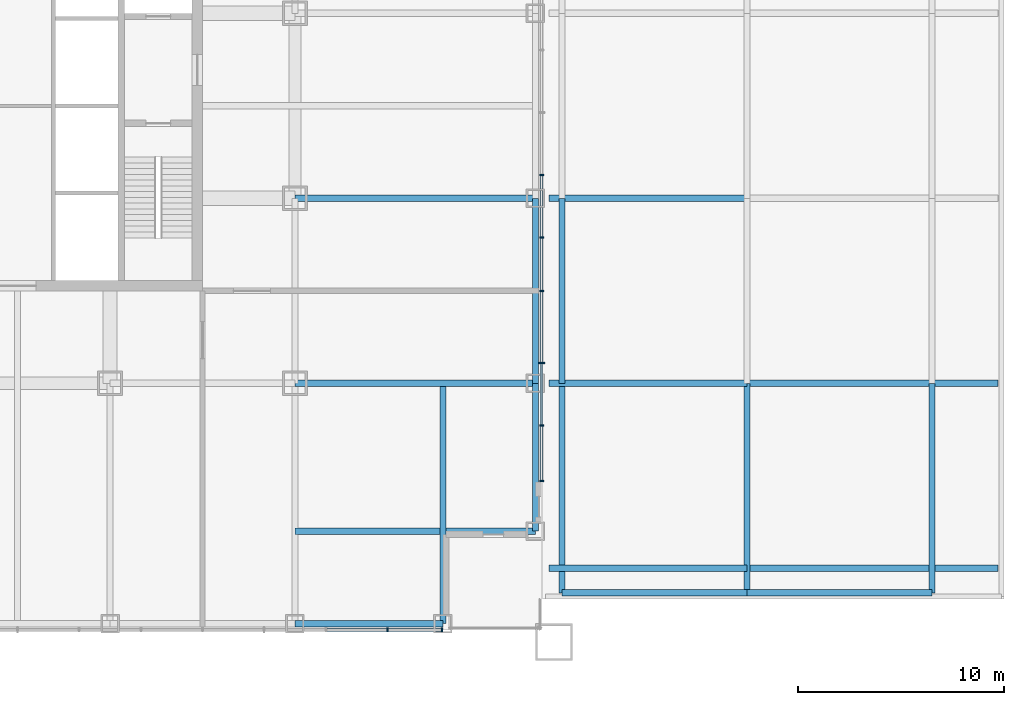
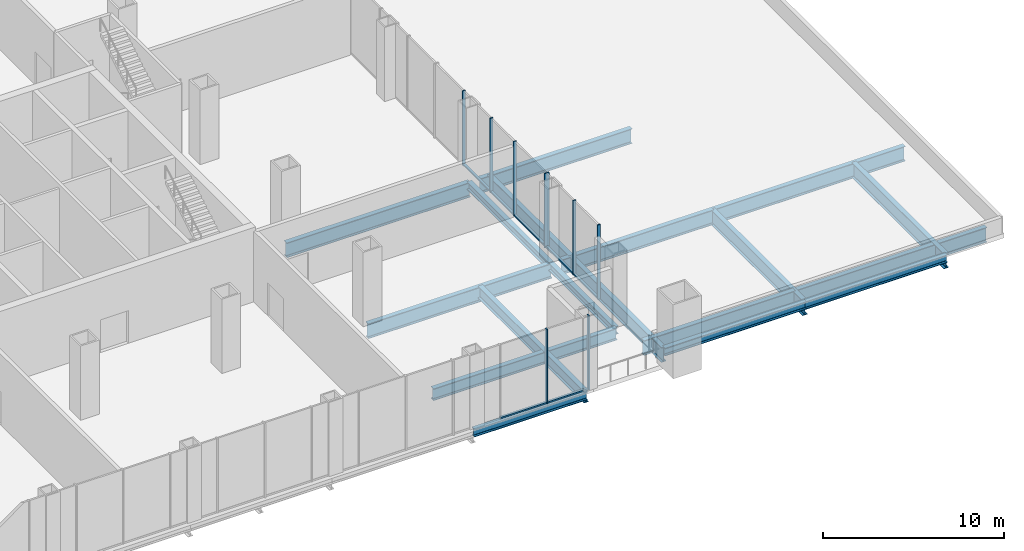
# One storey, part 8 of 16: 18 beams, 15 members, 2 elements without a shape of their own.
"""IFC4 building model written with IfcOpenShell, lengths in metres."""

from ifc_helpers import new_model, si_unit, direction, frame, origin, origin_2d, place, context, subcontext, project, spatial, rectangle, i_section, extrude, material, layer, layer_set, material_profile, profile_set, type_object, element, aggregate, save


model = new_model("IFC4")

# Units and contexts
model_context = context("Model", 3, precision=1e-05, world=origin(), true_north=direction((0.0, 1.0)))
body_context = subcontext(model_context, "Body", "Model", "MODEL_VIEW")
ifc_project = project(units=[si_unit("LENGTHUNIT", "METRE"), si_unit("AREAUNIT", "SQUARE_METRE"), si_unit("VOLUMEUNIT", "CUBIC_METRE"), si_unit("PLANEANGLEUNIT", "RADIAN"), si_unit("MASSUNIT", "GRAM", prefix="KILO")], contexts=[model_context])

# Site, building, storey
site_placement = place(None, origin())
site = spatial("IfcSite", under=ifc_project, at=site_placement, CompositionType="ELEMENT")
building_placement = place(site_placement, origin())
building = spatial("IfcBuilding", under=site, at=building_placement, Name="Malebo Sky Hospital", CompositionType="ELEMENT")
storey_placement = place(building_placement, frame((0.0, 0.0, 26.0)))
storey = spatial("IfcBuildingStorey", under=building, at=storey_placement, Name="L05", CompositionType="ELEMENT", Elevation=26.0)

# Curtain wall, members
ifc_material_1 = material(Name="Anodised aluminium, natural silver", Category="aluminium")
ifc_layer = layer(ifc_material_1, 0.25)
ifc_layer_set = layer_set([ifc_layer], Name="PLANT LOUVRE SCREEN")
curtain_wall_type = type_object("IfcCurtainWallType", Name="PLANT LOUVRE SCREEN", PredefinedType="NOTDEFINED", material=ifc_layer_set)
curtain_wall_1_placement = place(storey_placement, origin())
curtain_wall_1 = element("IfcCurtainWall", 1, at=curtain_wall_1_placement, inside=storey, type_object=curtain_wall_type, Name="PLANT curtain wall S", PredefinedType="NOTDEFINED")
ifc_material_profile_1 = material_profile(ifc_material_1, rectangle(XDim=0.14990234375, YDim=0.10009765625, at=origin_2d()), Name="ALUMINIUM TRANSOM 150x100")
ifc_profile_set_1 = profile_set([ifc_material_profile_1], Name="Anodised aluminium, natural silver")
member_type_1 = type_object("IfcMemberType", Name="ALUMINIUM TRANSOM 150x100", PredefinedType="USERDEFINED", material=ifc_profile_set_1)
member_1_placement = place(storey_placement, frame((80.625, 36.5, 0.050048828125), z_axis=(-1.0, 0.0, 0.0), x_axis=(0.0, -1.0, 0.0)))
member_1 = element("IfcMember", 2, at=member_1_placement, type_object=member_type_1, Name="Transom 1", ObjectType="TRANSOM", PredefinedType="USERDEFINED", context=body_context, shape_type="SweptSolid", body=[
    extrude(rectangle(XDim=0.14990234375, YDim=0.10009765625, at=origin_2d()), origin(), (0.0, 0.0, 1.0), 2.58740234375),
])
member_2_placement = place(storey_placement, frame((77.96240234375, 36.5, 0.050048828125), z_axis=(-1.0, 0.0, 0.0), x_axis=(0.0, -1.0, 0.0)))
member_2 = element("IfcMember", 3, at=member_2_placement, type_object=member_type_1, Name="Transom 2", ObjectType="TRANSOM", PredefinedType="USERDEFINED", context=body_context, shape_type="SweptSolid", body=[
    extrude(rectangle(XDim=0.14990234375, YDim=0.10009765625, at=origin_2d()), origin(), (0.0, 0.0, 1.0), 2.9248046875),
])

curtain_wall_2_placement = place(storey_placement, origin())
curtain_wall_2 = element("IfcCurtainWall", 4, at=curtain_wall_2_placement, inside=storey, type_object=curtain_wall_type, Name="PLANT curtain wall E", PredefinedType="NOTDEFINED")
member_3_placement = place(storey_placement, frame((85.5, 58.59326171875, 0.050048828125), z_axis=(0.0, -1.0, 0.0), x_axis=(1.0, 0.0, 0.0)))
member_3 = element("IfcMember", 5, at=member_3_placement, type_object=member_type_1, Name="Transom 9", ObjectType="TRANSOM", PredefinedType="USERDEFINED", context=body_context, shape_type="SweptSolid", body=[
    extrude(rectangle(XDim=0.14990234375, YDim=0.10009765625, at=origin_2d()), origin(), (0.0, 0.0, 1.0), 2.97119140625),
])
member_4_placement = place(storey_placement, frame((85.5, 55.547119140625, 0.050048828125), z_axis=(0.0, -1.0, 0.0), x_axis=(1.0, 0.0, 0.0)))
member_4 = element("IfcMember", 6, at=member_4_placement, type_object=member_type_1, Name="Transom 10", ObjectType="TRANSOM", PredefinedType="USERDEFINED", context=body_context, shape_type="SweptSolid", body=[
    extrude(rectangle(XDim=0.14990234375, YDim=0.10009765625, at=origin_2d()), origin(), (0.0, 0.0, 1.0), 2.509521484375),
])
member_5_placement = place(storey_placement, frame((85.5, 52.96240234375, 0.050048828125), z_axis=(0.0, -1.0, 0.0), x_axis=(1.0, 0.0, 0.0)))
member_5 = element("IfcMember", 7, at=member_5_placement, type_object=member_type_1, Name="Transom 11", ObjectType="TRANSOM", PredefinedType="USERDEFINED", context=body_context, shape_type="SweptSolid", body=[
    extrude(rectangle(XDim=0.14990234375, YDim=0.10009765625, at=origin_2d()), origin(), (0.0, 0.0, 1.0), 3.4326171875),
])
member_6_placement = place(storey_placement, frame((85.5, 49.454833984375, 0.050048828125), z_axis=(0.0, -1.0, 0.0), x_axis=(1.0, 0.0, 0.0)))
member_6 = element("IfcMember", 8, at=member_6_placement, type_object=member_type_1, Name="Transom 12", ObjectType="TRANSOM", PredefinedType="USERDEFINED", context=body_context, shape_type="SweptSolid", body=[
    extrude(rectangle(XDim=0.14990234375, YDim=0.10009765625, at=origin_2d()), origin(), (0.0, 0.0, 1.0), 2.97119140625),
])
member_7_placement = place(storey_placement, frame((85.5, 46.40869140625, 0.050048828125), z_axis=(0.0, -1.0, 0.0), x_axis=(1.0, 0.0, 0.0)))
member_7 = element("IfcMember", 9, at=member_7_placement, type_object=member_type_1, Name="Transom 13", ObjectType="TRANSOM", PredefinedType="USERDEFINED", context=body_context, shape_type="SweptSolid", body=[
    extrude(rectangle(XDim=0.14990234375, YDim=0.10009765625, at=origin_2d()), origin(), (0.0, 0.0, 1.0), 2.6337890625),
])

# Member
ifc_material_profile_2 = material_profile(ifc_material_1, rectangle(XDim=0.074951171875, YDim=0.199951171875, at=origin_2d()), Name="CW5 ALUMINIUM FIN MULLION 75x200")
ifc_profile_set_2 = profile_set([ifc_material_profile_2], Name="Anodised aluminium, natural silver")
member_type_2 = type_object("IfcMemberType", Name="CW5 ALUMINIUM FIN MULLION 75x200", PredefinedType="MULLION", material=ifc_profile_set_2)
member_8_placement = place(storey_placement, frame((80.66259765625, 36.5, 0.0), z_axis=(0.0, 0.0, 1.0), x_axis=(-1.0, 0.0, 0.0)))
member_8 = element("IfcMember", 10, at=member_8_placement, type_object=member_type_2, Name="Fin mullion 1", PredefinedType="MULLION", context=body_context, shape_type="SweptSolid", body=[
    extrude(rectangle(XDim=0.074951171875, YDim=0.199951171875, at=origin_2d()), origin(), (0.0, 0.0, 1.0), 5.0),
])

member_9_placement = place(storey_placement, frame((78.0, 36.5, 0.0), z_axis=(0.0, 0.0, 1.0), x_axis=(-1.0, 0.0, 0.0)))
member_9 = element("IfcMember", 11, at=member_9_placement, type_object=member_type_2, Name="Fin mullion 2", PredefinedType="MULLION", context=body_context, shape_type="SweptSolid", body=[
    extrude(rectangle(XDim=0.074951171875, YDim=0.199951171875, at=origin_2d()), origin(), (0.0, 0.0, 1.0), 5.0),
])

aggregate(curtain_wall_1, [member_8, member_9, member_1, member_2])

member_10_placement = place(storey_placement, frame((85.5, 58.630859375, 0.0), z_axis=(0.0, 0.0, 1.0), x_axis=(0.0, -1.0, 0.0)))
member_10 = element("IfcMember", 12, at=member_10_placement, type_object=member_type_2, Name="Fin mullion 9", PredefinedType="MULLION", context=body_context, shape_type="SweptSolid", body=[
    extrude(rectangle(XDim=0.074951171875, YDim=0.199951171875, at=origin_2d()), origin(), (0.0, 0.0, 1.0), 5.0),
])

member_11_placement = place(storey_placement, frame((85.5, 55.584716796875, 0.0), z_axis=(0.0, 0.0, 1.0), x_axis=(0.0, -1.0, 0.0)))
member_11 = element("IfcMember", 13, at=member_11_placement, type_object=member_type_2, Name="Fin mullion 10", PredefinedType="MULLION", context=body_context, shape_type="SweptSolid", body=[
    extrude(rectangle(XDim=0.074951171875, YDim=0.199951171875, at=origin_2d()), origin(), (0.0, 0.0, 1.0), 5.0),
])

member_12_placement = place(storey_placement, frame((85.5, 53.0, 0.0), z_axis=(0.0, 0.0, 1.0), x_axis=(0.0, -1.0, 0.0)))
member_12 = element("IfcMember", 14, at=member_12_placement, type_object=member_type_2, Name="Fin mullion 11", PredefinedType="MULLION", context=body_context, shape_type="SweptSolid", body=[
    extrude(rectangle(XDim=0.074951171875, YDim=0.199951171875, at=origin_2d()), origin(), (0.0, 0.0, 1.0), 5.0),
])

member_13_placement = place(storey_placement, frame((85.5, 46.4462890625, 0.0), z_axis=(0.0, 0.0, 1.0), x_axis=(0.0, -1.0, 0.0)))
member_13 = element("IfcMember", 15, at=member_13_placement, type_object=member_type_2, Name="Fin mullion 13", PredefinedType="MULLION", context=body_context, shape_type="SweptSolid", body=[
    extrude(rectangle(XDim=0.074951171875, YDim=0.199951171875, at=origin_2d()), origin(), (0.0, 0.0, 1.0), 5.0),
])

member_14_placement = place(storey_placement, frame((85.5, 43.737548828125, 0.0), z_axis=(0.0, 0.0, 1.0), x_axis=(0.0, -1.0, 0.0)))
member_14 = element("IfcMember", 16, at=member_14_placement, type_object=member_type_2, Name="Fin mullion 14", PredefinedType="MULLION", context=body_context, shape_type="SweptSolid", body=[
    extrude(rectangle(XDim=0.074951171875, YDim=0.199951171875, at=origin_2d()), origin(), (0.0, 0.0, 1.0), 5.0),
])

ifc_material_profile_3 = material_profile(ifc_material_1, rectangle(XDim=0.074951171875, YDim=0.300048828125, at=origin_2d()), Name="CW5 ALUMINIUM FIN MULLION 75x300")
ifc_profile_set_3 = profile_set([ifc_material_profile_3], Name="Anodised aluminium, natural silver")
member_type_3 = type_object("IfcMemberType", Name="CW5 ALUMINIUM FIN MULLION 75x300", PredefinedType="MULLION", material=ifc_profile_set_3)
member_15_placement = place(storey_placement, frame((85.5, 49.4921875, 0.0), z_axis=(0.0, 0.0, 1.0), x_axis=(0.0, -1.0, 0.0)))
member_15 = element("IfcMember", 17, at=member_15_placement, type_object=member_type_3, Name="Fin mullion 12", PredefinedType="MULLION", context=body_context, shape_type="SweptSolid", body=[
    extrude(rectangle(XDim=0.074951171875, YDim=0.300048828125, at=origin_2d()), origin(), (0.0, 0.0, 1.0), 5.0),
])

aggregate(curtain_wall_2, [member_10, member_11, member_12, member_15, member_13, member_14, member_3, member_4, member_5, member_6, member_7])

# Beams
ifc_material_2 = material(Name="Steel S355", Category="steel")
ifc_material_profile_4 = material_profile(ifc_material_2, i_section(OverallWidth=0.305908203125, OverallDepth=0.52392578125, WebThickness=0.02099609375, FlangeThickness=0.0400390625, FilletRadius=0.027099609375, at=origin_2d()), Name="HEM 500")
ifc_profile_set_4 = profile_set([ifc_material_profile_4], Name="Steel S355")
beam_type_1 = type_object("IfcBeamType", Name="EDGE BEAM HEM 500", PredefinedType="BEAM", material=ifc_profile_set_4)
beam_1_placement = place(storey_placement, frame((85.199951171875, 41.300048828125, -0.56201171875), z_axis=(0.0, 1.0, 0.0), x_axis=(-1.0, 0.0, 0.0)))
element("IfcBeam", 18, at=beam_1_placement, inside=storey, type_object=beam_type_1, Name="Beam 029 L05", PredefinedType="BEAM", context=body_context, shape_type="SweptSolid", body=[
    extrude(i_section(OverallWidth=0.305908203125, OverallDepth=0.52392578125, WebThickness=0.02099609375, FlangeThickness=0.0400390625, FilletRadius=0.027099609375, at=origin_2d()), origin(), (0.0, 0.0, 1.0), 7.199951171875),
])
beam_2_placement = place(storey_placement, frame((85.199951171875, 48.5, -0.56201171875), z_axis=(0.0, 1.0, 0.0), x_axis=(-1.0, 0.0, 0.0)))
element("IfcBeam", 19, at=beam_2_placement, inside=storey, type_object=beam_type_1, Name="Beam 030 L05", PredefinedType="BEAM", context=body_context, shape_type="SweptSolid", body=[
    extrude(i_section(OverallWidth=0.305908203125, OverallDepth=0.52392578125, WebThickness=0.02099609375, FlangeThickness=0.0400390625, FilletRadius=0.027099609375, at=origin_2d()), origin(), (0.0, 0.0, 1.0), 9.0),
])
beam_3_placement = place(storey_placement, frame((73.5, 36.800048828125, -0.56201171875), z_axis=(1.0, 0.0, 0.0), x_axis=(0.0, 1.0, 0.0)))
element("IfcBeam", 20, at=beam_3_placement, inside=storey, type_object=beam_type_1, Name="Beam 038 L05", PredefinedType="BEAM", context=body_context, shape_type="SweptSolid", body=[
    extrude(i_section(OverallWidth=0.305908203125, OverallDepth=0.52392578125, WebThickness=0.02099609375, FlangeThickness=0.0400390625, FilletRadius=0.027099609375, at=origin_2d()), origin(), (0.0, 0.0, 1.0), 7.199951171875),
])
for number, where, z_axis, x_axis, name in (
    (21, (86.5, 38.300048828125, -0.56201171875), (1.0, 0.0, 0.0), (0.0, 1.0, 0.0), "Beam E028 L05"),
    (22, (95.5, 38.300048828125, -0.56201171875), (1.0, 0.0, 0.0), (0.0, 1.0, 0.0), "Beam E029 L05"),
):
    element("IfcBeam", number, at=place(storey_placement, frame(where, z_axis=z_axis, x_axis=x_axis)), inside=storey, type_object=beam_type_1, Name=name, PredefinedType="BEAM", context=body_context, shape_type="SweptSolid", body=[
        extrude(i_section(OverallWidth=0.305908203125, OverallDepth=0.52392578125, WebThickness=0.02099609375, FlangeThickness=0.0400390625, FilletRadius=0.027099609375, at=origin_2d()), origin(), (0.0, 0.0, 1.0), 9.0),
    ])
ifc_material_profile_5 = material_profile(ifc_material_2, i_section(OverallWidth=0.300048828125, OverallDepth=1.0, WebThickness=0.01904296875, FlangeThickness=0.035888671875, FilletRadius=0.030029296875, at=origin_2d()), Name="HEB 1000")
ifc_profile_set_5 = profile_set([ifc_material_profile_5], Name="Steel S355")
beam_type_2 = type_object("IfcBeamType", Name="FLOOR BEAM HEB 1000", PredefinedType="BEAM", material=ifc_profile_set_5)
beam_4_placement = place(storey_placement, frame((73.5, 57.5, -0.800048828125), z_axis=(1.0, 0.0, 0.0), x_axis=(0.0, 1.0, 0.0)))
element("IfcBeam", 23, at=beam_4_placement, inside=storey, type_object=beam_type_2, Name="Beam 049 L05", PredefinedType="BEAM", context=body_context, shape_type="SweptSolid", body=[
    extrude(i_section(OverallWidth=0.300048828125, OverallDepth=1.0, WebThickness=0.01904296875, FlangeThickness=0.035888671875, FilletRadius=0.030029296875, at=origin_2d()), origin(), (0.0, 0.0, 1.0), 11.699951171875),
])
beam_5_placement = place(storey_placement, frame((86.5, 38.300048828125, -0.800048828125), z_axis=(0.0, 1.0, 0.0), x_axis=(-1.0, 0.0, 0.0)))
element("IfcBeam", 24, at=beam_5_placement, inside=storey, type_object=beam_type_2, Name="Beam E001 L05", PredefinedType="BEAM", context=body_context, shape_type="SweptSolid", body=[
    extrude(i_section(OverallWidth=0.300048828125, OverallDepth=1.0, WebThickness=0.01904296875, FlangeThickness=0.035888671875, FilletRadius=0.030029296875, at=origin_2d()), origin(), (0.0, 0.0, 1.0), 10.199951171875),
])
beam_6_placement = place(storey_placement, frame((86.5, 48.5, -0.800048828125), z_axis=(0.0, 1.0, 0.0), x_axis=(-1.0, 0.0, 0.0)))
element("IfcBeam", 25, at=beam_6_placement, inside=storey, type_object=beam_type_2, Name="Beam E002 L05", PredefinedType="BEAM", context=body_context, shape_type="SweptSolid", body=[
    extrude(i_section(OverallWidth=0.300048828125, OverallDepth=1.0, WebThickness=0.01904296875, FlangeThickness=0.035888671875, FilletRadius=0.030029296875, at=origin_2d()), origin(), (0.0, 0.0, 1.0), 9.0),
])
for number, where, z_axis, x_axis, name in (
    (26, (95.5, 38.300048828125, -0.800048828125), (0.0, 1.0, 0.0), (-1.0, 0.0, 0.0), "Beam E006 L05"),
    (27, (104.5, 38.300048828125, -0.800048828125), (0.0, 1.0, 0.0), (-1.0, 0.0, 0.0), "Beam E011 L05"),
):
    element("IfcBeam", number, at=place(storey_placement, frame(where, z_axis=z_axis, x_axis=x_axis)), inside=storey, type_object=beam_type_2, Name=name, PredefinedType="BEAM", context=body_context, shape_type="SweptSolid", body=[
        extrude(i_section(OverallWidth=0.300048828125, OverallDepth=1.0, WebThickness=0.01904296875, FlangeThickness=0.035888671875, FilletRadius=0.030029296875, at=origin_2d()), origin(), (0.0, 0.0, 1.0), 10.199951171875),
    ])
beam_7_placement = place(storey_placement, frame((85.85009765625, 39.5, -0.800048828125), z_axis=(1.0, 0.0, 0.0), x_axis=(0.0, 1.0, 0.0)))
element("IfcBeam", 28, at=beam_7_placement, inside=storey, type_object=beam_type_2, Name="Beam E016 L05", PredefinedType="BEAM", context=body_context, shape_type="SweptSolid", body=[
    extrude(i_section(OverallWidth=0.300048828125, OverallDepth=1.0, WebThickness=0.01904296875, FlangeThickness=0.035888671875, FilletRadius=0.030029296875, at=origin_2d()), origin(), (0.0, 0.0, 1.0), 9.64990234375),
])
beam_8_placement = place(storey_placement, frame((95.5, 39.5, -0.800048828125), z_axis=(1.0, 0.0, 0.0), x_axis=(0.0, 1.0, 0.0)))
element("IfcBeam", 29, at=beam_8_placement, inside=storey, type_object=beam_type_2, Name="Beam E017 L05", PredefinedType="BEAM", context=body_context, shape_type="SweptSolid", body=[
    extrude(i_section(OverallWidth=0.300048828125, OverallDepth=1.0, WebThickness=0.01904296875, FlangeThickness=0.035888671875, FilletRadius=0.030029296875, at=origin_2d()), origin(), (0.0, 0.0, 1.0), 12.199951171875),
])
beam_9_placement = place(storey_placement, frame((85.85009765625, 48.5, -0.800048828125), z_axis=(1.0, 0.0, 0.0), x_axis=(0.0, 1.0, 0.0)))
element("IfcBeam", 30, at=beam_9_placement, inside=storey, type_object=beam_type_2, Name="Beam E018 L05", PredefinedType="BEAM", context=body_context, shape_type="SweptSolid", body=[
    extrude(i_section(OverallWidth=0.300048828125, OverallDepth=1.0, WebThickness=0.01904296875, FlangeThickness=0.035888671875, FilletRadius=0.030029296875, at=origin_2d()), origin(), (0.0, 0.0, 1.0), 9.64990234375),
])
beam_10_placement = place(storey_placement, frame((95.5, 48.5, -0.800048828125), z_axis=(1.0, 0.0, 0.0), x_axis=(0.0, 1.0, 0.0)))
element("IfcBeam", 31, at=beam_10_placement, inside=storey, type_object=beam_type_2, Name="Beam E019 L05", PredefinedType="BEAM", context=body_context, shape_type="SweptSolid", body=[
    extrude(i_section(OverallWidth=0.300048828125, OverallDepth=1.0, WebThickness=0.01904296875, FlangeThickness=0.035888671875, FilletRadius=0.030029296875, at=origin_2d()), origin(), (0.0, 0.0, 1.0), 12.199951171875),
])
beam_11_placement = place(storey_placement, frame((85.85009765625, 57.5, -0.800048828125), z_axis=(1.0, 0.0, 0.0), x_axis=(0.0, 1.0, 0.0)))
element("IfcBeam", 32, at=beam_11_placement, inside=storey, type_object=beam_type_2, Name="Beam E020 L05", PredefinedType="BEAM", context=body_context, shape_type="SweptSolid", body=[
    extrude(i_section(OverallWidth=0.300048828125, OverallDepth=1.0, WebThickness=0.01904296875, FlangeThickness=0.035888671875, FilletRadius=0.030029296875, at=origin_2d()), origin(), (0.0, 0.0, 1.0), 9.64990234375),
])
ifc_material_profile_6 = material_profile(ifc_material_2, i_section(OverallWidth=0.300048828125, OverallDepth=0.800048828125, WebThickness=0.017578125, FlangeThickness=0.032958984375, FilletRadius=0.030029296875, at=origin_2d()), Name="HEB 800")
ifc_profile_set_6 = profile_set([ifc_material_profile_6], Name="Steel S355")
beam_type_3 = type_object("IfcBeamType", Name="FLOOR BEAM HEB 800", PredefinedType="BEAM", material=ifc_profile_set_6)
for number, where, z_axis, x_axis, name in (
    (33, (80.699951171875, 36.800048828125, -0.699951171875), (0.0, 1.0, 0.0), (-1.0, 0.0, 0.0), "Beam 027 L05"),
    (34, (73.5, 41.300048828125, -0.699951171875), (1.0, 0.0, 0.0), (0.0, 1.0, 0.0), "Beam 040 L05"),
):
    element("IfcBeam", number, at=place(storey_placement, frame(where, z_axis=z_axis, x_axis=x_axis)), inside=storey, type_object=beam_type_3, Name=name, PredefinedType="BEAM", context=body_context, shape_type="SweptSolid", body=[
        extrude(i_section(OverallWidth=0.300048828125, OverallDepth=0.800048828125, WebThickness=0.017578125, FlangeThickness=0.032958984375, FilletRadius=0.030029296875, at=origin_2d()), origin(), (0.0, 0.0, 1.0), 11.699951171875),
    ])
ifc_material_profile_7 = material_profile(ifc_material_2, i_section(OverallWidth=0.300048828125, OverallDepth=1.0, WebThickness=0.01904296875, FlangeThickness=0.035888671875, FilletRadius=0.030029296875, at=origin_2d()), Name="HEB 1000")
ifc_profile_set_7 = profile_set([ifc_material_profile_7], Name="Steel S355")
beam_type_4 = type_object("IfcBeamType", Name="FLOOR GIRDER HEB 1000", PredefinedType="BEAM", material=ifc_profile_set_7)
beam_12_placement = place(storey_placement, frame((73.5, 48.5, -0.800048828125), z_axis=(1.0, 0.0, 0.0), x_axis=(0.0, 1.0, 0.0)))
element("IfcBeam", 35, at=beam_12_placement, inside=storey, type_object=beam_type_4, Name="Beam 045 L05", PredefinedType="BEAM", context=body_context, shape_type="SweptSolid", body=[
    extrude(i_section(OverallWidth=0.300048828125, OverallDepth=1.0, WebThickness=0.01904296875, FlangeThickness=0.035888671875, FilletRadius=0.030029296875, at=origin_2d()), origin(), (0.0, 0.0, 1.0), 11.699951171875),
])

save(model, "model.ifc")
